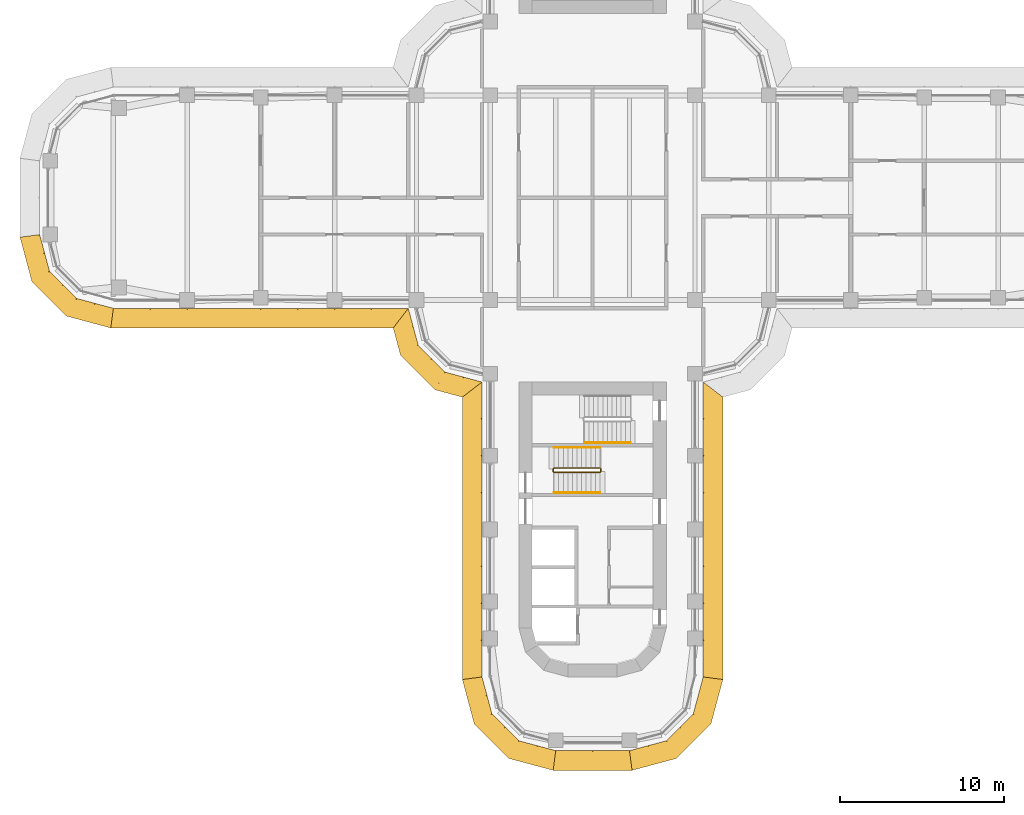
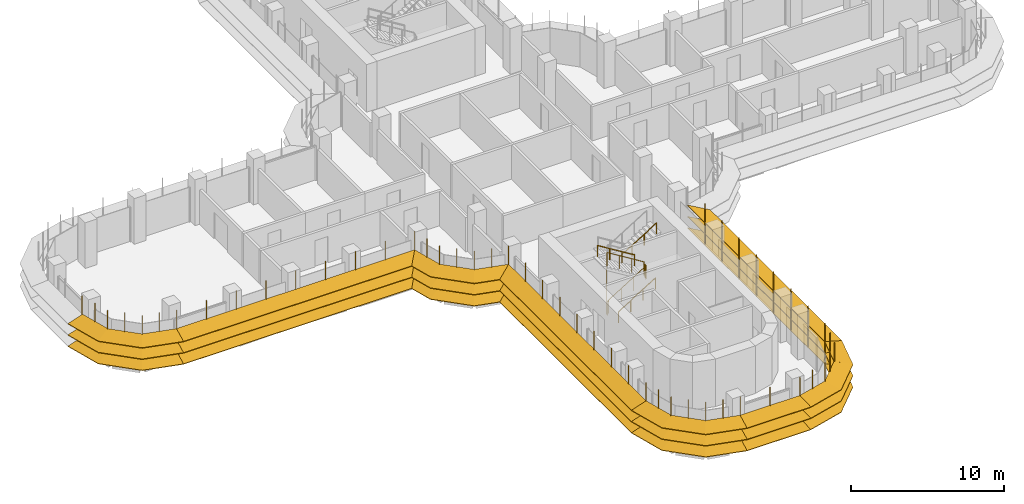
# One storey, part 19 of 22: 8 shading devices, 4 railings.
"""IFC4 building model written with IfcOpenShell, lengths in metres."""

from ifc_helpers import new_model, si_unit, direction, frame, origin, origin_2d, place, context, subcontext, project, spatial, polyline, circle, outline, extrude, faceted_brep, source, transform, mapped, material, type_object, element, save


model = new_model("IFC4")

# Units and contexts
model_context = context("Model", 3, precision=1e-05, world=origin(), true_north=direction((0.0, 1.0)))
body_context = subcontext(model_context, "Body", "Model", "MODEL_VIEW")
ifc_project = project(units=[si_unit("LENGTHUNIT", "METRE"), si_unit("AREAUNIT", "SQUARE_METRE"), si_unit("VOLUMEUNIT", "CUBIC_METRE"), si_unit("PLANEANGLEUNIT", "RADIAN"), si_unit("MASSUNIT", "GRAM", prefix="KILO")], contexts=[model_context])

# Site, building, storey
site_placement = place(None, origin())
site = spatial("IfcSite", under=ifc_project, at=site_placement, CompositionType="ELEMENT")
building_placement = place(site_placement, origin())
building = spatial("IfcBuilding", under=site, at=building_placement, Name="Zarbagh Exchange Tower", CompositionType="ELEMENT")
storey_placement = place(building_placement, frame((0.0, 0.0, 113.199951171875)))
storey = spatial("IfcBuildingStorey", under=building, at=storey_placement, Name="L26", CompositionType="ELEMENT", Elevation=113.199951171875)

# Railings
ifc_material_1 = material(Name="Stainless steel", Category="steel")
railing_type_1 = type_object("IfcRailingType", Name="Stair guard 1100 mm", PredefinedType="GUARDRAIL", material=ifc_material_1)
railing_1_placement = place(storey_placement, frame((0.449951171875, -16.5, 2.07275390625)))
element("IfcRailing", 1, at=railing_1_placement, inside=storey, type_object=railing_type_1, Name="ST3 stair guard 1", PredefinedType="GUARDRAIL", context=body_context, shape_type="SweptSolid", body=[
    extrude(circle(Radius=0.02392578125, at=origin_2d()), frame((0.0, 0.0, 1.076171875), z_axis=(-0.851089632645, 0.0, 0.525020415988), x_axis=(0.0, -1.0, 0.0)), (0.0, 0.0, 1.0), 3.2900390625),
    extrude(circle(Radius=0.02392578125, at=origin_2d()), frame((-2.800048828125, 0.0, 2.80322265625), z_axis=(-0.013104066473, -0.013168302093, -0.99982742474), x_axis=(0.708833529934, -0.705375805398, 0.0)), (0.0, 0.0, 1.0), 3.80078125),
    extrude(circle(Radius=0.02392578125, at=origin_2d()), frame((-2.849853515625, -0.050048828125, -0.99658203125), z_axis=(0.0, -1.0, 0.0), x_axis=(1.0, 0.0, 0.0)), (0.0, 0.0, 1.0), 0.14990234375),
    extrude(circle(Radius=0.02392578125, at=origin_2d()), frame((-2.849853515625, -0.199951171875, -0.99658203125), z_axis=(0.266739603011, -0.268047150085, 0.925743328097), x_axis=(0.708833529934, 0.705375805398, 0.0)), (0.0, 0.0, 1.0), 0.186767578125),
    extrude(circle(Radius=0.02392578125, at=origin_2d()), frame((-2.800048828125, -0.25, -0.82373046875), z_axis=(0.851089632645, 0.0, 0.525020415988), x_axis=(0.0, 1.0, 0.0)), (0.0, 0.0, 1.0), 3.2900390625),
    extrude(circle(Radius=0.02392578125, at=origin_2d()), frame((0.0, -0.25, 0.9033203125), z_axis=(0.707106781187, 0.707106781187, 0.0), x_axis=(-0.707106781187, 0.707106781187, 0.0)), (0.0, 0.0, 1.0), 0.07080078125),
    extrude(circle(Radius=0.02392578125, at=origin_2d()), frame((0.050048828125, -0.199951171875, 0.9033203125), z_axis=(0.0, 1.0, 0.0), x_axis=(-1.0, 0.0, 0.0)), (0.0, 0.0, 1.0), 0.14990234375),
    extrude(circle(Radius=0.02099609375, at=origin_2d()), origin(), (0.0, 0.0, 1.0), 1.052001953125),
    extrude(circle(Radius=0.02099609375, at=origin_2d()), frame((-0.933349609375, 0.0, 0.57568359375)), (0.0, 0.0, 1.0), 1.052001953125),
    extrude(circle(Radius=0.02099609375, at=origin_2d()), frame((-1.86669921875, 0.0, 1.151611328125)), (0.0, 0.0, 1.0), 1.052001953125),
    extrude(circle(Radius=0.02099609375, at=origin_2d()), frame((-2.800048828125, 0.0, 1.727294921875)), (0.0, 0.0, 1.0), 1.052001953125),
    extrude(circle(Radius=0.02099609375, at=origin_2d()), frame((-2.8125, -0.012451171875, 0.77734375)), (0.0, 0.0, 1.0), 1.052001953125),
    extrude(circle(Radius=0.02099609375, at=origin_2d()), frame((-2.824951171875, -0.02490234375, -0.1728515625)), (0.0, 0.0, 1.0), 1.052001953125),
    extrude(circle(Radius=0.02099609375, at=origin_2d()), frame((-2.83740234375, -0.03759765625, -1.122802734375)), (0.0, 0.0, 1.0), 1.052001953125),
    extrude(circle(Radius=0.02099609375, at=origin_2d()), frame((-2.849853515625, -0.050048828125, -2.07275390625)), (0.0, 0.0, 1.0), 1.052001953125),
    extrude(circle(Radius=0.02099609375, at=origin_2d()), frame((-2.849853515625, -0.199951171875, -2.07275390625)), (0.0, 0.0, 1.0), 1.052001953125),
    extrude(circle(Radius=0.02099609375, at=origin_2d()), frame((-2.800048828125, -0.25, -1.89990234375)), (0.0, 0.0, 1.0), 1.052001953125),
    extrude(circle(Radius=0.02099609375, at=origin_2d()), frame((-1.86669921875, -0.25, -1.32421875)), (0.0, 0.0, 1.0), 1.052001953125),
    extrude(circle(Radius=0.02099609375, at=origin_2d()), frame((-0.933349609375, -0.25, -0.748291015625)), (0.0, 0.0, 1.0), 1.052001953125),
    extrude(circle(Radius=0.02099609375, at=origin_2d()), frame((0.0, -0.25, -0.172607421875)), (0.0, 0.0, 1.0), 1.052001953125),
    extrude(circle(Radius=0.02099609375, at=origin_2d()), frame((0.050048828125, -0.199951171875, -0.172607421875)), (0.0, 0.0, 1.0), 1.052001953125),
    extrude(circle(Radius=0.02099609375, at=origin_2d()), frame((0.050048828125, -0.050048828125, -0.172607421875)), (0.0, 0.0, 1.0), 1.052001953125),
])
railing_type_2 = type_object("IfcRailingType", Name="Stair handrail 900 mm", PredefinedType="HANDRAIL", material=ifc_material_1)
railing_2_placement = place(storey_placement, frame((-2.35009765625, -18.0, 0.1728515625)))
element("IfcRailing", 2, at=railing_2_placement, inside=storey, type_object=railing_type_2, Name="ST3 stair handrail 1", PredefinedType="HANDRAIL", context=body_context, shape_type="SweptSolid", body=[
    extrude(circle(Radius=0.02392578125, at=origin_2d()), frame((0.0, 0.0, 0.8759765625), z_axis=(0.851089632645, 0.0, 0.525020415988), x_axis=(0.0, 1.0, 0.0)), (0.0, 0.0, 1.0), 3.2900390625),
    extrude(circle(Radius=0.02099609375, at=origin_2d()), origin(), (0.0, 0.0, 1.0), 0.851806640625),
    extrude(circle(Radius=0.02099609375, at=origin_2d()), frame((0.933349609375, 0.0, 0.57568359375)), (0.0, 0.0, 1.0), 0.851806640625),
    extrude(circle(Radius=0.02099609375, at=origin_2d()), frame((1.86669921875, 0.0, 1.151611328125)), (0.0, 0.0, 1.0), 0.851806640625),
    extrude(circle(Radius=0.02099609375, at=origin_2d()), frame((2.800048828125, 0.0, 1.727294921875)), (0.0, 0.0, 1.0), 0.851806640625),
])
railing_3_placement = place(storey_placement, frame((0.449951171875, -15.25, 2.07275390625)))
element("IfcRailing", 3, at=railing_3_placement, inside=storey, type_object=railing_type_2, Name="ST3 stair handrail 2", PredefinedType="HANDRAIL", context=body_context, shape_type="SweptSolid", body=[
    extrude(circle(Radius=0.02392578125, at=origin_2d()), frame((0.0, 0.0, 0.8759765625), z_axis=(-0.851089632645, 0.0, 0.525020415988), x_axis=(0.0, -1.0, 0.0)), (0.0, 0.0, 1.0), 3.2900390625),
    extrude(circle(Radius=0.02099609375, at=origin_2d()), origin(), (0.0, 0.0, 1.0), 0.851806640625),
    extrude(circle(Radius=0.02099609375, at=origin_2d()), frame((-0.933349609375, 0.0, 0.57568359375)), (0.0, 0.0, 1.0), 0.851806640625),
    extrude(circle(Radius=0.02099609375, at=origin_2d()), frame((-1.86669921875, 0.0, 1.151611328125)), (0.0, 0.0, 1.0), 0.851806640625),
    extrude(circle(Radius=0.02099609375, at=origin_2d()), frame((-2.800048828125, 0.0, 1.727294921875)), (0.0, 0.0, 1.0), 0.851806640625),
])
railing_4_placement = place(storey_placement, frame((-0.5, -14.949951171875, 2.07275390625)))
element("IfcRailing", 4, at=railing_4_placement, inside=storey, type_object=railing_type_2, Name="ST4 stair handrail 2", PredefinedType="HANDRAIL", context=body_context, shape_type="SweptSolid", body=[
    extrude(circle(Radius=0.02392578125, at=origin_2d()), frame((0.0, 0.0, 0.8759765625), z_axis=(0.851089632645, 0.0, 0.525020415988), x_axis=(0.0, 1.0, 0.0)), (0.0, 0.0, 1.0), 3.2900390625),
    extrude(circle(Radius=0.02099609375, at=origin_2d()), origin(), (0.0, 0.0, 1.0), 0.851806640625),
    extrude(circle(Radius=0.02099609375, at=origin_2d()), frame((0.933349609375, 0.0, 0.57568359375)), (0.0, 0.0, 1.0), 0.851806640625),
    extrude(circle(Radius=0.02099609375, at=origin_2d()), frame((1.86669921875, 0.0, 1.151611328125)), (0.0, 0.0, 1.0), 0.851806640625),
    extrude(circle(Radius=0.02099609375, at=origin_2d()), frame((2.800048828125, 0.0, 1.727294921875)), (0.0, 0.0, 1.0), 0.851806640625),
])

# Shading devices
ifc_material_2 = material(Name="Anodised aluminium blades and brackets", Category="aluminium")
shading_device_type = type_object("IfcShadingDeviceType", Name="SUNSHADE louvre band, 11.25 degree blades", PredefinedType="JALOUSIE", material=ifc_material_2)
shared_shape_1 = source(origin(), body_context, "Body", "Brep", [
    faceted_brep([(0.0, 0.0, 0.0), (0.0, 0.0, -0.040771484375), (-0.157958984375, -1.199951171875, -0.279541015625), (-0.157958984375, -1.199951171875, -0.23876953125), (2.65087890625, -1.199951171875, -0.23876953125), (2.65087890625, -1.199951171875, -0.279541015625), (2.329345703125, 0.0, -0.040771484375), (2.329345703125, 0.0, 0.0)], [[[0, 1, 2, 3]], [[4, 5, 6, 7]], [[0, 7, 6, 1]], [[1, 6, 5, 2]], [[2, 5, 4, 3]], [[3, 4, 7, 0]]]),
])
shared_shape_2 = source(origin(), body_context, "Body", "Brep", [
    faceted_brep([(0.0, 0.0, 0.0), (0.0, 0.0, -0.040771484375), (-0.321533203125, -1.199951171875, -0.279541015625), (-0.321533203125, -1.199951171875, -0.23876953125), (2.65087890625, -1.199951171875, -0.23876953125), (2.65087890625, -1.199951171875, -0.279541015625), (2.329345703125, 0.0, -0.040771484375), (2.329345703125, 0.0, 0.0)], [[[0, 1, 2, 3]], [[4, 5, 6, 7]], [[0, 7, 6, 1]], [[1, 6, 5, 2]], [[2, 5, 4, 3]], [[3, 4, 7, 0]]]),
])
shared_shape_3 = source(origin(), body_context, "Body", "Brep", [
    faceted_brep([(0.0, 0.0, 0.0), (0.0, 0.0, -0.040771484375), (-0.321533203125, -1.199951171875, -0.279541015625), (-0.321533203125, -1.199951171875, -0.23876953125), (2.4873046875, -1.199951171875, -0.23876953125), (2.4873046875, -1.199951171875, -0.279541015625), (2.329345703125, 0.0, -0.040771484375), (2.329345703125, 0.0, 0.0)], [[[0, 1, 2, 3]], [[4, 5, 6, 7]], [[0, 7, 6, 1]], [[1, 6, 5, 2]], [[2, 5, 4, 3]], [[3, 4, 7, 0]]]),
])
shared_shape_4 = source(origin(), body_context, "Body", "SweptSolid", [
    extrude(outline(polyline([(0.0, -0.012451171875), (0.06005859375, -0.012451171875), (0.06005859375, 0.012451171875), (0.0, 0.012451171875), (0.0, -0.012451171875)])), origin(), (0.0, 0.0, 1.0), 3.350830078125),
])
placement = place(storey_placement, origin())
element("IfcShadingDevice", 5, at=placement, inside=storey, type_object=shading_device_type, Name="SS01 sunshade band", PredefinedType="JALOUSIE", context=body_context, shape_type="MappedRepresentation", body=[
    mapped(shared_shape_1, transform((2.25, -33.75, 2.300048828125), x_axis=(0.965924289636, 0.258824779902, 0.0), y_axis=(-0.258824779902, 0.965924289636, 0.0), z_axis=(0.0, 0.0, 1.0))),
    mapped(shared_shape_1, transform((2.25, -33.75, 1.400146484375), x_axis=(0.965924289636, 0.258824779902, 0.0), y_axis=(-0.258824779902, 0.965924289636, 0.0), z_axis=(0.0, 0.0, 1.0))),
    mapped(shared_shape_1, transform((2.25, -33.75, 0.5), x_axis=(0.965924289636, 0.258824779902, 0.0), y_axis=(-0.258824779902, 0.965924289636, 0.0), z_axis=(0.0, 0.0, 1.0))),
    mapped(shared_shape_2, transform((4.5, -33.147216796875, 2.300048828125), x_axis=(0.707106781187, 0.707106781187, 0.0), y_axis=(-0.707106781187, 0.707106781187, 0.0), z_axis=(0.0, 0.0, 1.0))),
    mapped(shared_shape_2, transform((4.5, -33.147216796875, 1.400146484375), x_axis=(0.707106781187, 0.707106781187, 0.0), y_axis=(-0.707106781187, 0.707106781187, 0.0), z_axis=(0.0, 0.0, 1.0))),
    mapped(shared_shape_2, transform((4.5, -33.147216796875, 0.5), x_axis=(0.707106781187, 0.707106781187, 0.0), y_axis=(-0.707106781187, 0.707106781187, 0.0), z_axis=(0.0, 0.0, 1.0))),
    mapped(shared_shape_3, transform((6.147216796875, -31.5, 2.300048828125), x_axis=(0.258824779902, 0.965924289636, 0.0), y_axis=(-0.965924289636, 0.258824779902, 0.0), z_axis=(0.0, 0.0, 1.0))),
    mapped(shared_shape_3, transform((6.147216796875, -31.5, 1.400146484375), x_axis=(0.258824779902, 0.965924289636, 0.0), y_axis=(-0.965924289636, 0.258824779902, 0.0), z_axis=(0.0, 0.0, 1.0))),
    mapped(shared_shape_3, transform((6.147216796875, -31.5, 0.5), x_axis=(0.258824779902, 0.965924289636, 0.0), y_axis=(-0.965924289636, 0.258824779902, 0.0), z_axis=(0.0, 0.0, 1.0))),
    mapped(shared_shape_4, transform((2.25, -33.75, 0.42919921875), x_axis=(0.130529263012, -0.991444457092, 0.0), y_axis=(0.991444457092, 0.130529263012, 0.0), z_axis=(0.0, 0.0, 1.0))),
    mapped(shared_shape_4, transform((3.375, -33.448486328125, 0.42919921875), x_axis=(0.258825058029, -0.96592421511, 0.0), y_axis=(0.96592421511, 0.258825058029, 0.0), z_axis=(0.0, 0.0, 1.0))),
    mapped(shared_shape_4, transform((4.5, -33.147216796875, 0.42919921875), x_axis=(0.50000275701, -0.866023812018, 0.0), y_axis=(0.866023812018, 0.50000275701, 0.0), z_axis=(0.0, 0.0, 1.0))),
    mapped(shared_shape_4, transform((5.323486328125, -32.323486328125, 0.42919921875), x_axis=(0.707106781187, -0.707106781187, 0.0), y_axis=(0.707106781187, 0.707106781187, 0.0), z_axis=(0.0, 0.0, 1.0))),
    mapped(shared_shape_4, transform((6.147216796875, -31.5, 0.42919921875), x_axis=(0.866023812018, -0.50000275701, 0.0), y_axis=(0.50000275701, 0.866023812018, 0.0), z_axis=(0.0, 0.0, 1.0))),
    mapped(shared_shape_4, transform((6.448486328125, -30.375, 0.42919921875), x_axis=(0.96592421511, -0.258825058029, 0.0), y_axis=(0.258825058029, 0.96592421511, 0.0), z_axis=(0.0, 0.0, 1.0))),
])
element("IfcShadingDevice", 6, at=placement, inside=storey, type_object=shading_device_type, Name="SS19 sunshade band", PredefinedType="JALOUSIE", context=body_context, shape_type="MappedRepresentation", body=[
    mapped(shared_shape_1, transform((-33.75, -2.25, 2.300048828125), x_axis=(0.258824779902, -0.965924289636, 0.0), y_axis=(0.965924289636, 0.258824779902, 0.0), z_axis=(0.0, 0.0, 1.0))),
    mapped(shared_shape_1, transform((-33.75, -2.25, 1.400146484375), x_axis=(0.258824779902, -0.965924289636, 0.0), y_axis=(0.965924289636, 0.258824779902, 0.0), z_axis=(0.0, 0.0, 1.0))),
    mapped(shared_shape_1, transform((-33.75, -2.25, 0.5), x_axis=(0.258824779902, -0.965924289636, 0.0), y_axis=(0.965924289636, 0.258824779902, 0.0), z_axis=(0.0, 0.0, 1.0))),
    mapped(shared_shape_2, transform((-33.147216796875, -4.5, 2.300048828125), x_axis=(0.707106781187, -0.707106781187, 0.0), y_axis=(0.707106781187, 0.707106781187, 0.0), z_axis=(0.0, 0.0, 1.0))),
    mapped(shared_shape_2, transform((-33.147216796875, -4.5, 1.400146484375), x_axis=(0.707106781187, -0.707106781187, 0.0), y_axis=(0.707106781187, 0.707106781187, 0.0), z_axis=(0.0, 0.0, 1.0))),
    mapped(shared_shape_2, transform((-33.147216796875, -4.5, 0.5), x_axis=(0.707106781187, -0.707106781187, 0.0), y_axis=(0.707106781187, 0.707106781187, 0.0), z_axis=(0.0, 0.0, 1.0))),
    mapped(shared_shape_3, transform((-31.5, -6.147216796875, 2.300048828125), x_axis=(0.965924289636, -0.258824779902, 0.0), y_axis=(0.258824779902, 0.965924289636, 0.0), z_axis=(0.0, 0.0, 1.0))),
    mapped(shared_shape_3, transform((-31.5, -6.147216796875, 1.400146484375), x_axis=(0.965924289636, -0.258824779902, 0.0), y_axis=(0.258824779902, 0.965924289636, 0.0), z_axis=(0.0, 0.0, 1.0))),
    mapped(shared_shape_3, transform((-31.5, -6.147216796875, 0.5), x_axis=(0.965924289636, -0.258824779902, 0.0), y_axis=(0.258824779902, 0.965924289636, 0.0), z_axis=(0.0, 0.0, 1.0))),
    mapped(shared_shape_4, transform((-33.75, -2.25, 0.42919921875), x_axis=(-0.991444457092, -0.130529263012, 0.0), y_axis=(0.130529263012, -0.991444457092, 0.0), z_axis=(0.0, 0.0, 1.0))),
    mapped(shared_shape_4, transform((-33.448486328125, -3.375, 0.42919921875), x_axis=(-0.96592421511, -0.258825058029, 0.0), y_axis=(0.258825058029, -0.96592421511, 0.0), z_axis=(0.0, 0.0, 1.0))),
    mapped(shared_shape_4, transform((-33.147216796875, -4.5, 0.42919921875), x_axis=(-0.866023812018, -0.50000275701, 0.0), y_axis=(0.50000275701, -0.866023812018, 0.0), z_axis=(0.0, 0.0, 1.0))),
    mapped(shared_shape_4, transform((-32.323486328125, -5.323486328125, 0.42919921875), x_axis=(-0.707106781187, -0.707106781187, 0.0), y_axis=(0.707106781187, -0.707106781187, 0.0), z_axis=(0.0, 0.0, 1.0))),
    mapped(shared_shape_4, transform((-31.5, -6.147216796875, 0.42919921875), x_axis=(-0.50000275701, -0.866023812018, 0.0), y_axis=(0.866023812018, -0.50000275701, 0.0), z_axis=(0.0, 0.0, 1.0))),
    mapped(shared_shape_4, transform((-30.375, -6.448486328125, 0.42919921875), x_axis=(-0.258825058029, -0.96592421511, 0.0), y_axis=(0.96592421511, -0.258825058029, 0.0), z_axis=(0.0, 0.0, 1.0))),
])
element("IfcShadingDevice", 7, at=placement, inside=storey, type_object=shading_device_type, Name="SS23 sunshade band", PredefinedType="JALOUSIE", context=body_context, shape_type="MappedRepresentation", body=[
    mapped(shared_shape_1, transform((-6.75, -29.25, 2.300048828125), x_axis=(0.258824779902, -0.965924289636, 0.0), y_axis=(0.965924289636, 0.258824779902, 0.0), z_axis=(0.0, 0.0, 1.0))),
    mapped(shared_shape_1, transform((-6.75, -29.25, 1.400146484375), x_axis=(0.258824779902, -0.965924289636, 0.0), y_axis=(0.965924289636, 0.258824779902, 0.0), z_axis=(0.0, 0.0, 1.0))),
    mapped(shared_shape_1, transform((-6.75, -29.25, 0.5), x_axis=(0.258824779902, -0.965924289636, 0.0), y_axis=(0.965924289636, 0.258824779902, 0.0), z_axis=(0.0, 0.0, 1.0))),
    mapped(shared_shape_2, transform((-6.147216796875, -31.5, 2.300048828125), x_axis=(0.707106781187, -0.707106781187, 0.0), y_axis=(0.707106781187, 0.707106781187, 0.0), z_axis=(0.0, 0.0, 1.0))),
    mapped(shared_shape_2, transform((-6.147216796875, -31.5, 1.400146484375), x_axis=(0.707106781187, -0.707106781187, 0.0), y_axis=(0.707106781187, 0.707106781187, 0.0), z_axis=(0.0, 0.0, 1.0))),
    mapped(shared_shape_2, transform((-6.147216796875, -31.5, 0.5), x_axis=(0.707106781187, -0.707106781187, 0.0), y_axis=(0.707106781187, 0.707106781187, 0.0), z_axis=(0.0, 0.0, 1.0))),
    mapped(shared_shape_3, transform((-4.5, -33.147216796875, 2.300048828125), x_axis=(0.965924289636, -0.258824779902, 0.0), y_axis=(0.258824779902, 0.965924289636, 0.0), z_axis=(0.0, 0.0, 1.0))),
    mapped(shared_shape_3, transform((-4.5, -33.147216796875, 1.400146484375), x_axis=(0.965924289636, -0.258824779902, 0.0), y_axis=(0.258824779902, 0.965924289636, 0.0), z_axis=(0.0, 0.0, 1.0))),
    mapped(shared_shape_3, transform((-4.5, -33.147216796875, 0.5), x_axis=(0.965924289636, -0.258824779902, 0.0), y_axis=(0.258824779902, 0.965924289636, 0.0), z_axis=(0.0, 0.0, 1.0))),
    mapped(shared_shape_4, transform((-6.75, -29.25, 0.42919921875), x_axis=(-0.991444457092, -0.130529263012, 0.0), y_axis=(0.130529263012, -0.991444457092, 0.0), z_axis=(0.0, 0.0, 1.0))),
    mapped(shared_shape_4, transform((-6.448486328125, -30.375, 0.42919921875), x_axis=(-0.96592421511, -0.258825058029, 0.0), y_axis=(0.258825058029, -0.96592421511, 0.0), z_axis=(0.0, 0.0, 1.0))),
    mapped(shared_shape_4, transform((-6.147216796875, -31.5, 0.42919921875), x_axis=(-0.866023812018, -0.50000275701, 0.0), y_axis=(0.50000275701, -0.866023812018, 0.0), z_axis=(0.0, 0.0, 1.0))),
    mapped(shared_shape_4, transform((-5.323486328125, -32.323486328125, 0.42919921875), x_axis=(-0.707106781187, -0.707106781187, 0.0), y_axis=(0.707106781187, -0.707106781187, 0.0), z_axis=(0.0, 0.0, 1.0))),
    mapped(shared_shape_4, transform((-4.5, -33.147216796875, 0.42919921875), x_axis=(-0.50000275701, -0.866023812018, 0.0), y_axis=(0.866023812018, -0.50000275701, 0.0), z_axis=(0.0, 0.0, 1.0))),
    mapped(shared_shape_4, transform((-3.375, -33.448486328125, 0.42919921875), x_axis=(-0.258825058029, -0.96592421511, 0.0), y_axis=(0.96592421511, -0.258825058029, 0.0), z_axis=(0.0, 0.0, 1.0))),
])
shared_shape_5 = source(origin(), body_context, "Body", "Brep", [
    faceted_brep([(0.0, 0.0, 0.0), (0.0, 0.0, -0.040771484375), (0.9208984375, -1.199951171875, -0.279541015625), (0.9208984375, -1.199951171875, -0.23876953125), (2.65087890625, -1.199951171875, -0.23876953125), (2.65087890625, -1.199951171875, -0.279541015625), (2.329345703125, 0.0, -0.040771484375), (2.329345703125, 0.0, 0.0)], [[[0, 1, 2, 3]], [[4, 5, 6, 7]], [[0, 7, 6, 1]], [[1, 6, 5, 2]], [[2, 5, 4, 3]], [[3, 4, 7, 0]]]),
])
shared_shape_6 = source(origin(), body_context, "Body", "Brep", [
    faceted_brep([(0.0, 0.0, 0.0), (0.0, 0.0, -0.040771484375), (-0.321533203125, -1.199951171875, -0.279541015625), (-0.321533203125, -1.199951171875, -0.23876953125), (1.40869140625, -1.199951171875, -0.23876953125), (1.40869140625, -1.199951171875, -0.279541015625), (2.329345703125, 0.0, -0.040771484375), (2.329345703125, 0.0, 0.0)], [[[0, 1, 2, 3]], [[4, 5, 6, 7]], [[0, 7, 6, 1]], [[1, 6, 5, 2]], [[2, 5, 4, 3]], [[3, 4, 7, 0]]]),
])
element("IfcShadingDevice", 8, at=placement, inside=storey, type_object=shading_device_type, Name="SS21 sunshade band", PredefinedType="JALOUSIE", context=body_context, shape_type="MappedRepresentation", body=[
    mapped(shared_shape_5, transform((-11.25, -6.75, 2.300048828125), x_axis=(0.258824779902, -0.965924289636, 0.0), y_axis=(0.965924289636, 0.258824779902, 0.0), z_axis=(0.0, 0.0, 1.0))),
    mapped(shared_shape_5, transform((-11.25, -6.75, 1.400146484375), x_axis=(0.258824779902, -0.965924289636, 0.0), y_axis=(0.965924289636, 0.258824779902, 0.0), z_axis=(0.0, 0.0, 1.0))),
    mapped(shared_shape_5, transform((-11.25, -6.75, 0.5), x_axis=(0.258824779902, -0.965924289636, 0.0), y_axis=(0.965924289636, 0.258824779902, 0.0), z_axis=(0.0, 0.0, 1.0))),
    mapped(shared_shape_2, transform((-10.647216796875, -9.0, 2.300048828125), x_axis=(0.707106781187, -0.707106781187, 0.0), y_axis=(0.707106781187, 0.707106781187, 0.0), z_axis=(0.0, 0.0, 1.0))),
    mapped(shared_shape_2, transform((-10.647216796875, -9.0, 1.400146484375), x_axis=(0.707106781187, -0.707106781187, 0.0), y_axis=(0.707106781187, 0.707106781187, 0.0), z_axis=(0.0, 0.0, 1.0))),
    mapped(shared_shape_2, transform((-10.647216796875, -9.0, 0.5), x_axis=(0.707106781187, -0.707106781187, 0.0), y_axis=(0.707106781187, 0.707106781187, 0.0), z_axis=(0.0, 0.0, 1.0))),
    mapped(shared_shape_6, transform((-9.0, -10.647216796875, 2.300048828125), x_axis=(0.965924289636, -0.258824779902, 0.0), y_axis=(0.258824779902, 0.965924289636, 0.0), z_axis=(0.0, 0.0, 1.0))),
    mapped(shared_shape_6, transform((-9.0, -10.647216796875, 1.400146484375), x_axis=(0.965924289636, -0.258824779902, 0.0), y_axis=(0.258824779902, 0.965924289636, 0.0), z_axis=(0.0, 0.0, 1.0))),
    mapped(shared_shape_6, transform((-9.0, -10.647216796875, 0.5), x_axis=(0.965924289636, -0.258824779902, 0.0), y_axis=(0.258824779902, 0.965924289636, 0.0), z_axis=(0.0, 0.0, 1.0))),
    mapped(shared_shape_4, transform((-11.25, -6.75, 0.42919921875), x_axis=(-0.608758892, -0.793355287, 0.0), y_axis=(0.793355287, -0.608758892, 0.0), z_axis=(0.0, 0.0, 1.0))),
    mapped(shared_shape_4, transform((-10.948486328125, -7.875, 0.42919921875), x_axis=(-0.96592421511, -0.258825058029, 0.0), y_axis=(0.258825058029, -0.96592421511, 0.0), z_axis=(0.0, 0.0, 1.0))),
    mapped(shared_shape_4, transform((-10.647216796875, -9.0, 0.42919921875), x_axis=(-0.866023812018, -0.50000275701, 0.0), y_axis=(0.50000275701, -0.866023812018, 0.0), z_axis=(0.0, 0.0, 1.0))),
    mapped(shared_shape_4, transform((-9.823486328125, -9.823486328125, 0.42919921875), x_axis=(-0.707106781187, -0.707106781187, 0.0), y_axis=(0.707106781187, -0.707106781187, 0.0), z_axis=(0.0, 0.0, 1.0))),
    mapped(shared_shape_4, transform((-9.0, -10.647216796875, 0.42919921875), x_axis=(-0.50000275701, -0.866023812018, 0.0), y_axis=(0.866023812018, -0.50000275701, 0.0), z_axis=(0.0, 0.0, 1.0))),
    mapped(shared_shape_4, transform((-7.875, -10.948486328125, 0.42919921875), x_axis=(-0.258825058029, -0.96592421511, 0.0), y_axis=(0.96592421511, -0.258825058029, 0.0), z_axis=(0.0, 0.0, 1.0))),
])
shared_shape_7 = source(origin(), body_context, "Body", "Brep", [
    faceted_brep([(0.0, 0.0, 0.0), (0.0, 0.0, -0.040771484375), (-0.157958984375, -1.199951171875, -0.279541015625), (-0.157958984375, -1.199951171875, -0.23876953125), (17.0791015625, -1.199951171875, -0.23876953125), (17.0791015625, -1.199951171875, -0.279541015625), (18.0, 0.0, -0.040771484375), (18.0, 0.0, 0.0)], [[[0, 1, 2, 3]], [[4, 5, 6, 7]], [[0, 7, 6, 1]], [[1, 6, 5, 2]], [[2, 5, 4, 3]], [[3, 4, 7, 0]]]),
])
element("IfcShadingDevice", 9, at=placement, inside=storey, type_object=shading_device_type, Name="SS02 sunshade band", PredefinedType="JALOUSIE", context=body_context, shape_type="MappedRepresentation", body=[
    mapped(shared_shape_7, transform((6.75, -29.25, 2.300048828125), x_axis=(0.0, 1.0, 0.0), y_axis=(-1.0, 0.0, 0.0), z_axis=(0.0, 0.0, 1.0))),
    mapped(shared_shape_7, transform((6.75, -29.25, 1.400146484375), x_axis=(0.0, 1.0, 0.0), y_axis=(-1.0, 0.0, 0.0), z_axis=(0.0, 0.0, 1.0))),
    mapped(shared_shape_7, transform((6.75, -29.25, 0.5), x_axis=(0.0, 1.0, 0.0), y_axis=(-1.0, 0.0, 0.0), z_axis=(0.0, 0.0, 1.0))),
    mapped(shared_shape_4, transform((6.75, -29.25, 0.42919921875), x_axis=(0.991444457092, -0.130529263012, 0.0), y_axis=(0.130529263012, 0.991444457092, 0.0), z_axis=(0.0, 0.0, 1.0))),
    mapped(shared_shape_4, transform((6.75, -27.0, 0.42919921875), x_axis=(1.0, 0.0, 0.0), y_axis=(0.0, 1.0, 0.0), z_axis=(0.0, 0.0, 1.0))),
    mapped(shared_shape_4, transform((6.75, -24.75, 0.42919921875), x_axis=(1.0, 0.0, 0.0), y_axis=(0.0, 1.0, 0.0), z_axis=(0.0, 0.0, 1.0))),
    mapped(shared_shape_4, transform((6.75, -22.5, 0.42919921875), x_axis=(1.0, 0.0, 0.0), y_axis=(0.0, 1.0, 0.0), z_axis=(0.0, 0.0, 1.0))),
    mapped(shared_shape_4, transform((6.75, -20.25, 0.42919921875), x_axis=(1.0, 0.0, 0.0), y_axis=(0.0, 1.0, 0.0), z_axis=(0.0, 0.0, 1.0))),
    mapped(shared_shape_4, transform((6.75, -18.0, 0.42919921875), x_axis=(1.0, 0.0, 0.0), y_axis=(0.0, 1.0, 0.0), z_axis=(0.0, 0.0, 1.0))),
    mapped(shared_shape_4, transform((6.75, -15.75, 0.42919921875), x_axis=(1.0, 0.0, 0.0), y_axis=(0.0, 1.0, 0.0), z_axis=(0.0, 0.0, 1.0))),
    mapped(shared_shape_4, transform((6.75, -13.5, 0.42919921875), x_axis=(1.0, 0.0, 0.0), y_axis=(0.0, 1.0, 0.0), z_axis=(0.0, 0.0, 1.0))),
])
element("IfcShadingDevice", 10, at=placement, inside=storey, type_object=shading_device_type, Name="SS20 sunshade band", PredefinedType="JALOUSIE", context=body_context, shape_type="MappedRepresentation", body=[
    mapped(shared_shape_7, transform((-29.25, -6.75, 2.300048828125), x_axis=(1.0, 0.0, 0.0), y_axis=(0.0, 1.0, 0.0), z_axis=(0.0, 0.0, 1.0))),
    mapped(shared_shape_7, transform((-29.25, -6.75, 1.400146484375), x_axis=(1.0, 0.0, 0.0), y_axis=(0.0, 1.0, 0.0), z_axis=(0.0, 0.0, 1.0))),
    mapped(shared_shape_7, transform((-29.25, -6.75, 0.5), x_axis=(1.0, 0.0, 0.0), y_axis=(0.0, 1.0, 0.0), z_axis=(0.0, 0.0, 1.0))),
    mapped(shared_shape_4, transform((-29.25, -6.75, 0.42919921875), x_axis=(-0.130529263012, -0.991444457092, 0.0), y_axis=(0.991444457092, -0.130529263012, 0.0), z_axis=(0.0, 0.0, 1.0))),
    mapped(shared_shape_4, transform((-27.0, -6.75, 0.42919921875), x_axis=(0.0, -1.0, 0.0), y_axis=(1.0, 0.0, 0.0), z_axis=(0.0, 0.0, 1.0))),
    mapped(shared_shape_4, transform((-24.75, -6.75, 0.42919921875), x_axis=(0.0, -1.0, 0.0), y_axis=(1.0, 0.0, 0.0), z_axis=(0.0, 0.0, 1.0))),
    mapped(shared_shape_4, transform((-22.5, -6.75, 0.42919921875), x_axis=(0.0, -1.0, 0.0), y_axis=(1.0, 0.0, 0.0), z_axis=(0.0, 0.0, 1.0))),
    mapped(shared_shape_4, transform((-20.25, -6.75, 0.42919921875), x_axis=(0.0, -1.0, 0.0), y_axis=(1.0, 0.0, 0.0), z_axis=(0.0, 0.0, 1.0))),
    mapped(shared_shape_4, transform((-18.0, -6.75, 0.42919921875), x_axis=(0.0, -1.0, 0.0), y_axis=(1.0, 0.0, 0.0), z_axis=(0.0, 0.0, 1.0))),
    mapped(shared_shape_4, transform((-15.75, -6.75, 0.42919921875), x_axis=(0.0, -1.0, 0.0), y_axis=(1.0, 0.0, 0.0), z_axis=(0.0, 0.0, 1.0))),
    mapped(shared_shape_4, transform((-13.5, -6.75, 0.42919921875), x_axis=(0.0, -1.0, 0.0), y_axis=(1.0, 0.0, 0.0), z_axis=(0.0, 0.0, 1.0))),
])
shared_shape_8 = source(origin(), body_context, "Body", "Brep", [
    faceted_brep([(0.0, 0.0, 0.0), (0.0, 0.0, -0.040771484375), (0.9208984375, -1.199951171875, -0.279541015625), (0.9208984375, -1.199951171875, -0.23876953125), (18.157958984375, -1.199951171875, -0.23876953125), (18.157958984375, -1.199951171875, -0.279541015625), (18.0, 0.0, -0.040771484375), (18.0, 0.0, 0.0)], [[[0, 1, 2, 3]], [[4, 5, 6, 7]], [[0, 7, 6, 1]], [[1, 6, 5, 2]], [[2, 5, 4, 3]], [[3, 4, 7, 0]]]),
])
element("IfcShadingDevice", 11, at=placement, inside=storey, type_object=shading_device_type, Name="SS22 sunshade band", PredefinedType="JALOUSIE", context=body_context, shape_type="MappedRepresentation", body=[
    mapped(shared_shape_8, transform((-6.75, -11.25, 2.300048828125), x_axis=(0.0, -1.0, 0.0), y_axis=(1.0, 0.0, 0.0), z_axis=(0.0, 0.0, 1.0))),
    mapped(shared_shape_8, transform((-6.75, -11.25, 1.400146484375), x_axis=(0.0, -1.0, 0.0), y_axis=(1.0, 0.0, 0.0), z_axis=(0.0, 0.0, 1.0))),
    mapped(shared_shape_8, transform((-6.75, -11.25, 0.5), x_axis=(0.0, -1.0, 0.0), y_axis=(1.0, 0.0, 0.0), z_axis=(0.0, 0.0, 1.0))),
    mapped(shared_shape_4, transform((-6.75, -11.25, 0.42919921875), x_axis=(-0.793355287, -0.608758892, 0.0), y_axis=(0.608758892, -0.793355287, 0.0), z_axis=(0.0, 0.0, 1.0))),
    mapped(shared_shape_4, transform((-6.75, -13.5, 0.42919921875), x_axis=(-1.0, 0.0, 0.0), y_axis=(0.0, -1.0, 0.0), z_axis=(0.0, 0.0, 1.0))),
    mapped(shared_shape_4, transform((-6.75, -15.75, 0.42919921875), x_axis=(-1.0, 0.0, 0.0), y_axis=(0.0, -1.0, 0.0), z_axis=(0.0, 0.0, 1.0))),
    mapped(shared_shape_4, transform((-6.75, -18.0, 0.42919921875), x_axis=(-1.0, 0.0, 0.0), y_axis=(0.0, -1.0, 0.0), z_axis=(0.0, 0.0, 1.0))),
    mapped(shared_shape_4, transform((-6.75, -20.25, 0.42919921875), x_axis=(-1.0, 0.0, 0.0), y_axis=(0.0, -1.0, 0.0), z_axis=(0.0, 0.0, 1.0))),
    mapped(shared_shape_4, transform((-6.75, -22.5, 0.42919921875), x_axis=(-1.0, 0.0, 0.0), y_axis=(0.0, -1.0, 0.0), z_axis=(0.0, 0.0, 1.0))),
    mapped(shared_shape_4, transform((-6.75, -24.75, 0.42919921875), x_axis=(-1.0, 0.0, 0.0), y_axis=(0.0, -1.0, 0.0), z_axis=(0.0, 0.0, 1.0))),
    mapped(shared_shape_4, transform((-6.75, -27.0, 0.42919921875), x_axis=(-1.0, 0.0, 0.0), y_axis=(0.0, -1.0, 0.0), z_axis=(0.0, 0.0, 1.0))),
])
shared_shape_9 = source(origin(), body_context, "Body", "Brep", [
    faceted_brep([(0.0, 0.0, 0.0), (0.0, 0.0, -0.040771484375), (-0.157958984375, -1.199951171875, -0.279541015625), (-0.157958984375, -1.199951171875, -0.23876953125), (4.657958984375, -1.199951171875, -0.23876953125), (4.657958984375, -1.199951171875, -0.279541015625), (4.5, 0.0, -0.040771484375), (4.5, 0.0, 0.0)], [[[0, 1, 2, 3]], [[4, 5, 6, 7]], [[0, 7, 6, 1]], [[1, 6, 5, 2]], [[2, 5, 4, 3]], [[3, 4, 7, 0]]]),
])
element("IfcShadingDevice", 12, at=placement, inside=storey, type_object=shading_device_type, Name="SS24 sunshade band", PredefinedType="JALOUSIE", context=body_context, shape_type="MappedRepresentation", body=[
    mapped(shared_shape_9, transform((-2.25, -33.75, 2.300048828125), x_axis=(1.0, 0.0, 0.0), y_axis=(0.0, 1.0, 0.0), z_axis=(0.0, 0.0, 1.0))),
    mapped(shared_shape_9, transform((-2.25, -33.75, 1.400146484375), x_axis=(1.0, 0.0, 0.0), y_axis=(0.0, 1.0, 0.0), z_axis=(0.0, 0.0, 1.0))),
    mapped(shared_shape_9, transform((-2.25, -33.75, 0.5), x_axis=(1.0, 0.0, 0.0), y_axis=(0.0, 1.0, 0.0), z_axis=(0.0, 0.0, 1.0))),
    mapped(shared_shape_4, transform((-2.25, -33.75, 0.42919921875), x_axis=(-0.130529263012, -0.991444457092, 0.0), y_axis=(0.991444457092, -0.130529263012, 0.0), z_axis=(0.0, 0.0, 1.0))),
    mapped(shared_shape_4, transform((0.0, -33.75, 0.42919921875), x_axis=(0.0, -1.0, 0.0), y_axis=(1.0, 0.0, 0.0), z_axis=(0.0, 0.0, 1.0))),
])

save(model, "model.ifc")
